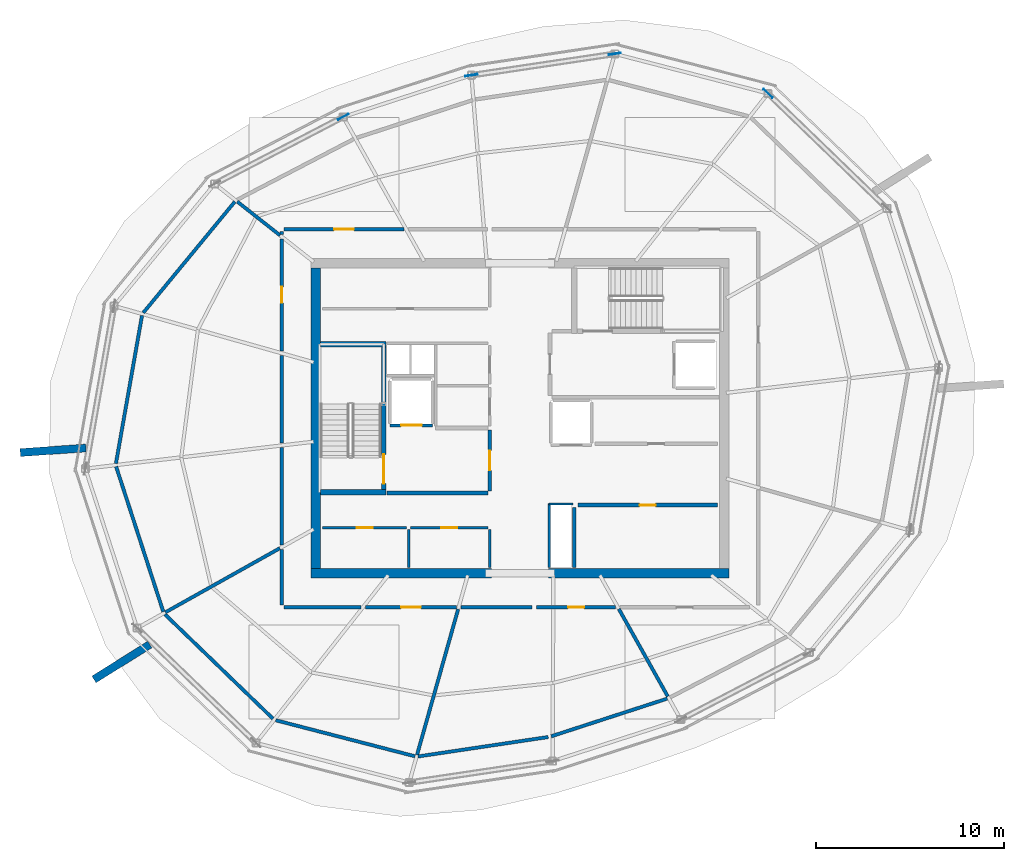
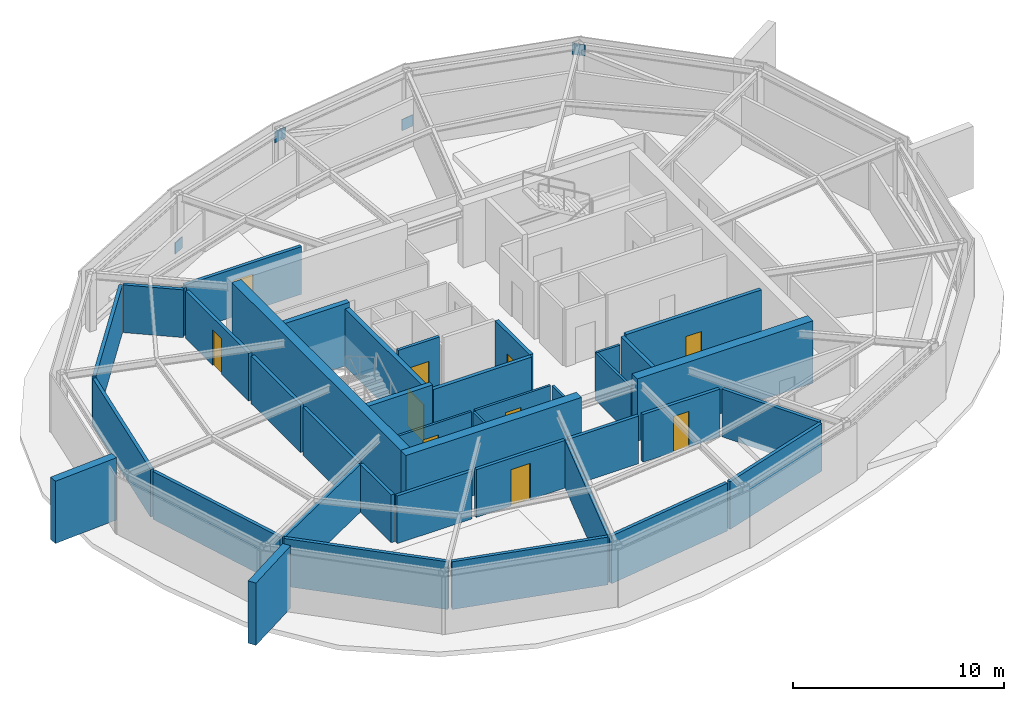
# One storey, part 7 of 10: 40 walls, 10 doors, 4 plates, 10 openings.
"""IFC4 building model written with IfcOpenShell, lengths in metres."""

import ifcopenshell
import ifcopenshell.guid

model = None  # the IFC model being written
_history = None  # IfcOwnerHistory: only IFC2X3 demands one
_inside = {}  # id of a spatial element -> (the spatial element, [elements in it])
_under = {}  # id of a project, library or spatial element -> (it, [spatial elements below it])
_declared = {}  # id of a project -> (the project, [libraries it declares])
_typed = {}  # id of a type object -> (the type object, [elements of that type])
_made_of = {}  # id of a material, layer set ... -> (it, [elements and type objects made of it])


def new_model(schema):
    """Start an empty IFC model of exactly this schema.

    Asked for "IFC4X3", IfcOpenShell would pick the latest addendum, in which some entities
    have other attributes; the version numbers below select the first issue.
    IFC2X3 requires an IfcOwnerHistory on every rooted entity: one is made here for all.
    """
    global model, _history
    if schema == "IFC4X3":
        model = ifcopenshell.file(schema_version=(4, 3, 0, 0))
    else:
        model = ifcopenshell.file(schema=schema)
    _inside.clear()
    _under.clear()
    _declared.clear()
    _typed.clear()
    _made_of.clear()
    _history = None
    if model.schema == "IFC2X3":
        org = make("IfcOrganization", Name="unknown")
        user = make(
            "IfcPersonAndOrganization",
            ThePerson=make("IfcPerson", FamilyName="unknown"),
            TheOrganization=org,
        )
        app = make(
            "IfcApplication",
            ApplicationDeveloper=org,
            Version="unknown",
            ApplicationFullName="unknown",
            ApplicationIdentifier="unknown",
        )
        _history = make(
            "IfcOwnerHistory",
            OwningUser=user,
            OwningApplication=app,
            ChangeAction="ADDED",
            CreationDate=0,
        )
    return model


def make(cls, **values):
    """One entity of the class cls with the attributes given. An attribute that is None is left unset."""
    return model.create_entity(
        cls, **{name: value for name, value in values.items() if value is not None}
    )


def rooted(cls, **values):
    """An entity with a GlobalId (a new one), such as an element, a storey or a relation."""
    return make(cls, GlobalId=ifcopenshell.guid.new(), OwnerHistory=_history, **values)


def si_unit(unit_type, name, prefix=None):
    """IfcSIUnit, for example si_unit("LENGTHUNIT", "METRE", prefix="MILLI")."""
    return make("IfcSIUnit", UnitType=unit_type, Prefix=prefix, Name=name)


def assignment(units):
    """IfcUnitAssignment: the units of a project."""
    return None if units is None else make("IfcUnitAssignment", Units=units)


def point(xyz):
    """IfcCartesianPoint."""
    return None if xyz is None else make("IfcCartesianPoint", Coordinates=xyz)


def direction(xyz):
    """IfcDirection."""
    return None if xyz is None else make("IfcDirection", DirectionRatios=xyz)


def frame(location, z_axis=None, x_axis=None):
    """IfcAxis2Placement3D, a coordinate frame: its origin and axes. An axis left out is left unset."""
    return make(
        "IfcAxis2Placement3D",
        Location=point(location),
        Axis=direction(z_axis),
        RefDirection=direction(x_axis),
    )


def frame_2d(location, x_axis=None):
    """IfcAxis2Placement2D, a coordinate frame in the plane: its origin and x axis."""
    return make(
        "IfcAxis2Placement2D", Location=point(location), RefDirection=direction(x_axis)
    )


def origin():
    """The frame at (0, 0, 0) with its axes left unset."""
    return frame((0.0, 0.0, 0.0))


def origin_2d():
    """The frame at (0, 0) in the plane with its x axis left unset."""
    return frame_2d((0.0, 0.0))


def place(relative_to, where):
    """IfcLocalPlacement: puts the frame where relative to a parent placement (None: the world)."""
    return make(
        "IfcLocalPlacement", PlacementRelTo=relative_to, RelativePlacement=where
    )


def context(
    kind, dimensions, precision=None, world=None, true_north=None, identifier=None
):
    """IfcGeometricRepresentationContext, for example the 3D "Model" context."""
    return make(
        "IfcGeometricRepresentationContext",
        ContextIdentifier=identifier,
        ContextType=kind,
        CoordinateSpaceDimension=dimensions,
        Precision=precision,
        WorldCoordinateSystem=world,
        TrueNorth=true_north,
    )


def subcontext(parent, identifier, kind, view, scale=None):
    """IfcGeometricRepresentationSubContext, for example "Body" below "Model"."""
    return make(
        "IfcGeometricRepresentationSubContext",
        ContextIdentifier=identifier,
        ContextType=kind,
        ParentContext=parent,
        TargetScale=scale,
        TargetView=view,
    )


def project(units=None, contexts=None):
    """IfcProject with its units and contexts."""
    return rooted(
        "IfcProject",
        Name="project",
        RepresentationContexts=contexts,
        UnitsInContext=assignment(units),
    )


def spatial(cls, under=None, at=None, **own):
    """A site, building, storey or space (cls), placed at a placement, below another one or the project."""
    s = rooted(cls, ObjectPlacement=at, **own)
    if under is not None:
        _under.setdefault(under.id(), (under, []))[1].append(s)
    return s


def profile(cls, at=None, kind="AREA", **sizes):
    """A parametric profile (cls). Its sizes go by their IFC names, for example OverallWidth=200.0."""
    return make(cls, ProfileType=kind, Position=at, **sizes)


def rectangle(**sizes):
    """IfcRectangleProfileDef."""
    return profile("IfcRectangleProfileDef", **sizes)


def extrude(swept, where, along, depth):
    """IfcExtrudedAreaSolid: the profile swept, set in the frame where, extruded along a direction by depth."""
    return make(
        "IfcExtrudedAreaSolid",
        SweptArea=swept,
        Position=where,
        ExtrudedDirection=direction(along),
        Depth=depth,
    )


def shape(context_of_items, identifier, shape_type, items):
    """IfcShapeRepresentation: the items that make up one representation, for example the "Body"."""
    return make(
        "IfcShapeRepresentation",
        ContextOfItems=context_of_items,
        RepresentationIdentifier=identifier,
        RepresentationType=shape_type,
        Items=items,
    )


def material(Name=None, Category=None):
    """IfcMaterial."""
    return make("IfcMaterial", Name=Name, Category=Category)


def layer(
    of_material, thickness, ventilated=None, Name=None, Category=None, Priority=None
):
    """IfcMaterialLayer: one layer of a wall or slab, of a material (None: an air gap)."""
    return make(
        "IfcMaterialLayer",
        Material=of_material,
        LayerThickness=thickness,
        IsVentilated=ventilated,
        Name=Name,
        Category=Category,
        Priority=Priority,
    )


def layer_set(layers, Name=None):
    """IfcMaterialLayerSet."""
    return make("IfcMaterialLayerSet", MaterialLayers=layers, LayerSetName=Name)


def made_of(thing, what):
    """Note that an element or type object is made of a material, layer set ...; save() writes the relation."""
    if what is not None:
        _made_of.setdefault(what.id(), (what, []))[1].append(thing)
    return thing


def type_object(cls, material=None, **own):
    """A type object (cls), such as IfcWallType, which elements share."""
    return made_of(rooted(cls, **own), material)


def element(
    cls,
    number,
    at=None,
    inside=None,
    cuts=None,
    type_object=None,
    material=None,
    context=None,
    identifier="Body",
    shape_type=None,
    held_by="IfcProductDefinitionShape",
    body=None,
    shapes=None,
    **own,
):
    """One element of the class cls, such as IfcWall. Its Tag is "e" and its number.

    at: its placement. inside: the storey or other place that contains it. cuts: it is an
    opening in that element (IfcRelVoidsElement). A single representation is given by context,
    identifier, shape_type and body (its items); several are given by shapes. held_by: the class
    of the entity that holds the representations. save() writes the other relations.
    """
    e = rooted(cls, Tag="e%d" % number, ObjectPlacement=at, **own)
    if body is not None:
        shapes = [shape(context, identifier, shape_type, body)]
    if shapes is not None:
        e.Representation = make(held_by, Representations=shapes)
    if inside is not None:
        _inside.setdefault(inside.id(), (inside, []))[1].append(e)
    if cuts is not None:
        rooted(
            "IfcRelVoidsElement", RelatingBuildingElement=cuts, RelatedOpeningElement=e
        )
    if type_object is not None:
        _typed.setdefault(type_object.id(), (type_object, []))[1].append(e)
    return made_of(e, material)


def fill(opening, filler):
    """IfcRelFillsElement: the door or window that sits in an opening."""
    return rooted(
        "IfcRelFillsElement",
        RelatingOpeningElement=opening,
        RelatedBuildingElement=filler,
    )


def aggregate(whole, parts):
    """IfcRelAggregates: a whole, such as a stair, and the parts it consists of."""
    return rooted("IfcRelAggregates", RelatingObject=whole, RelatedObjects=parts)


def save(model, path):
    """Write the relations noted so far, then the file.

    IfcRelAggregates (storeys below a building ...), IfcRelContainedInSpatialStructure (elements
    in a storey), IfcRelDefinesByType, IfcRelAssociatesMaterial and IfcRelDeclares: one each for
    every whole, place, type object, material and project.
    """
    for whole, parts in _under.values():
        aggregate(whole, parts)
    for where, things in _inside.values():
        rooted(
            "IfcRelContainedInSpatialStructure",
            RelatedElements=things,
            RelatingStructure=where,
        )
    for kind, things in _typed.values():
        rooted("IfcRelDefinesByType", RelatedObjects=things, RelatingType=kind)
    for what, things in _made_of.values():
        rooted("IfcRelAssociatesMaterial", RelatedObjects=things, RelatingMaterial=what)
    for by, libraries in _declared.values():
        rooted("IfcRelDeclares", RelatingContext=by, RelatedDefinitions=libraries)
    model.write(path)


model = new_model("IFC4")

# Units and contexts
model_context = context("Model", 3, precision=1e-05, world=origin(), true_north=direction((0.0, 1.0)))
body_context = subcontext(model_context, "Body", "Model", "MODEL_VIEW")
ifc_project = project(units=[si_unit("LENGTHUNIT", "METRE"), si_unit("AREAUNIT", "SQUARE_METRE"), si_unit("VOLUMEUNIT", "CUBIC_METRE"), si_unit("PLANEANGLEUNIT", "RADIAN"), si_unit("MASSUNIT", "GRAM", prefix="KILO")], contexts=[model_context])

# Site, building, storey
site_placement = place(None, origin())
site = spatial("IfcSite", under=ifc_project, at=site_placement, CompositionType="ELEMENT")
building_placement = place(site_placement, origin())
building = spatial("IfcBuilding", under=site, at=building_placement, Name="Kazma Halo Residences", CompositionType="ELEMENT")
storey_placement = place(building_placement, frame((0.0, 0.0, 356.0)))
storey = spatial("IfcBuildingStorey", under=building, at=storey_placement, Name="L89", CompositionType="ELEMENT", Elevation=356.0)

# Plates
ifc_material_1 = material(Name="Steel S355", Category="steel")
ifc_layer_1 = layer(ifc_material_1, 0.0400390625)
ifc_layer_set_1 = layer_set([ifc_layer_1], Name="Steel S355")
plate_type = type_object("IfcPlateType", Name="PLT-GUSSET-40", PredefinedType="SHEET", material=ifc_layer_set_1)
for number, where, z_axis, x_axis, name in (
    (1, (61.617431640625, 59.273681640625, 2.614990234375), (0.0, 0.0, 1.0), (-0.719342064482, 0.694656025863, 0.0), "L89 crown brace upper gusset 01"),
    (2, (53.46630859375, 61.38232421875, -0.044921875), (0.0, 0.0, 1.0), (-0.98903421845, -0.147686542161, 0.0), "L89 crown brace lower gusset 03"),
    (3, (45.8408203125, 60.24365234375, 2.614990234375), (0.0, 0.0, 1.0), (-0.98903421845, -0.147686542161, 0.0), "L89 crown brace upper gusset 03"),
    (4, (39.0234375, 58.02880859375, -0.044921875), (0.0, 0.0, 1.0), (-0.886949727325, -0.461865977529, 0.0), "L89 crown brace lower gusset 05"),
):
    element("IfcPlate", number, at=place(storey_placement, frame(where, z_axis=z_axis, x_axis=x_axis)), inside=storey, type_object=plate_type, Name=name, PredefinedType="SHEET", context=body_context, shape_type="SweptSolid", body=[
        extrude(rectangle(XDim=0.64990234375, YDim=0.0400390625, at=origin_2d()), origin(), (0.0, 0.0, 1.0), 0.64990234375),
    ])

# Walls
ifc_material_2 = material(Name="Pale Concrete C60/75", Category="concrete")
ifc_layer_2 = layer(ifc_material_2, 0.419921875)
ifc_layer_set_2 = layer_set([ifc_layer_2], Name="Pale Concrete C60/75")
wall_type_1 = type_object("IfcWallType", Name="WL-BLADE-420", PredefinedType="SOLIDWALL", material=ifc_layer_set_2)
for number, where, z_axis, x_axis, name in (
    (5, (25.333984375, 40.4150390625, 0.0), (0.0, 0.0, 1.0), (-0.997564163539, -0.069754853754, 0.0), "L89 pale concrete structural blade fin wall BW-02"),
    (6, (28.731201171875, 29.95947265625, 0.0), (0.0, 0.0, 1.0), (-0.848033572426, -0.529942506352, 0.0), "L89 pale concrete structural blade fin wall BW-03"),
):
    element("IfcWall", number, at=place(storey_placement, frame(where, z_axis=z_axis, x_axis=x_axis)), inside=storey, type_object=wall_type_1, Name=name, PredefinedType="SOLIDWALL", context=body_context, shape_type="SweptSolid", body=[
        extrude(rectangle(XDim=3.5, YDim=0.419921875, at=frame_2d((1.75, 0.0))), origin(), (0.0, 0.0, 1.0), 3.60009765625),
    ])
ifc_material_3 = material(Name="Concrete C60/75", Category="concrete")
ifc_layer_3 = layer(ifc_material_3, 0.5)
ifc_layer_set_3 = layer_set([ifc_layer_3], Name="Concrete C60/75")
wall_type_2 = type_object("IfcWallType", Name="WL-CORE-500", PredefinedType="SHEAR", material=ifc_layer_set_3)
wall_1_placement = place(storey_placement, frame((37.300048828125, 33.75, 0.0), z_axis=(0.0, 0.0, 1.0), x_axis=(1.0, 0.0, 0.0)))
element("IfcWall", 7, at=wall_1_placement, inside=storey, type_object=wall_type_2, Name="L89 central core shear wall SW", PredefinedType="SHEAR", context=body_context, shape_type="SweptSolid", body=[
    extrude(rectangle(XDim=9.599853515625, YDim=0.5, at=frame_2d((4.7998046875, 0.0))), origin(), (0.0, 0.0, 1.0), 3.60009765625),
])
wall_2_placement = place(storey_placement, frame((49.949951171875, 33.75, 0.0), z_axis=(0.0, 0.0, 1.0), x_axis=(1.0, 0.0, 0.0)))
element("IfcWall", 8, at=wall_2_placement, inside=storey, type_object=wall_type_2, Name="L89 central core shear wall SE", PredefinedType="SHEAR", context=body_context, shape_type="SweptSolid", body=[
    extrude(rectangle(XDim=9.60009765625, YDim=0.5, at=frame_2d((4.800048828125, 0.0))), origin(), (0.0, 0.0, 1.0), 3.60009765625),
])
wall_3_placement = place(storey_placement, frame((37.550048828125, 34.0, 0.0), z_axis=(0.0, 0.0, 1.0), x_axis=(0.0, 1.0, 0.0)))
element("IfcWall", 9, at=wall_3_placement, inside=storey, type_object=wall_type_2, Name="L89 central core shear wall W", PredefinedType="SHEAR", context=body_context, shape_type="SweptSolid", body=[
    extrude(rectangle(XDim=16.0, YDim=0.5, at=frame_2d((8.0, 0.0))), origin(), (0.0, 0.0, 1.0), 3.60009765625),
])
ifc_layer_4 = layer(ifc_material_3, 0.280029296875)
ifc_layer_set_4 = layer_set([ifc_layer_4], Name="Concrete C60/75")
wall_type_3 = type_object("IfcWallType", Name="WL-CORE-ST-280", PredefinedType="SHEAR", material=ifc_layer_set_4)
for number, where, z_axis, x_axis, name in (
    (10, (37.800048828125, 38.06005859375, 0.0), (0.0, 0.0, 1.0), (1.0, 0.0, 0.0), "L89 stairwell bearing wall ST01-S"),
    (11, (37.800048828125, 45.93994140625, 0.0), (0.0, 0.0, 1.0), (1.0, 0.0, 0.0), "L89 stairwell bearing wall ST01-N"),
):
    element("IfcWall", number, at=place(storey_placement, frame(where, z_axis=z_axis, x_axis=x_axis)), inside=storey, type_object=wall_type_3, Name=name, PredefinedType="SHEAR", context=body_context, shape_type="SweptSolid", body=[
        extrude(rectangle(XDim=3.5, YDim=0.280029296875, at=frame_2d((1.75, 0.0))), origin(), (0.0, 0.0, 1.0), 3.60009765625),
    ])
ifc_material_4 = material(Name="Acoustic Twin-Stud Gypsum")
ifc_layer_5 = layer(ifc_material_4, 0.179931640625)
ifc_layer_set_5 = layer_set([ifc_layer_5], Name="Acoustic Twin-Stud Gypsum")
wall_type_4 = type_object("IfcWallType", Name="WL-DEM-180", PredefinedType="PARTITIONING", material=ifc_layer_set_5)
wall_4_placement = place(storey_placement, frame((33.257568359375, 53.520263671875, 0.0), z_axis=(0.0, 0.0, 1.0), x_axis=(-0.636018833443, -0.771673534278, 0.0)))
element("IfcWall", 12, at=wall_4_placement, inside=storey, type_object=wall_type_4, Name="L89 crown plant perimeter wall 05", PredefinedType="PARTITIONING", context=body_context, shape_type="SweptSolid", body=[
    extrude(rectangle(XDim=7.661376953125, YDim=0.179931640625, at=frame_2d((3.83056640625, 0.0))), origin(), (0.0, 0.0, 1.0), 2.760009765625),
])
wall_5_placement = place(storey_placement, frame((28.320068359375, 47.467529296875, 0.0), z_axis=(0.0, 0.0, 1.0), x_axis=(-0.173668776466, -0.984804120666, 0.0)))
element("IfcWall", 13, at=wall_5_placement, inside=storey, type_object=wall_type_4, Name="L89 crown plant perimeter wall 06", PredefinedType="PARTITIONING", context=body_context, shape_type="SweptSolid", body=[
    extrude(rectangle(XDim=8.005859375, YDim=0.179931640625, at=frame_2d((4.0029296875, 0.0))), origin(), (0.0, 0.0, 1.0), 2.760009765625),
])
wall_6_placement = place(storey_placement, frame((26.940673828125, 39.428466796875, 0.0), z_axis=(0.0, 0.0, 1.0), x_axis=(0.309024234991, -0.951054163646, 0.0)))
element("IfcWall", 14, at=wall_6_placement, inside=storey, type_object=wall_type_4, Name="L89 crown plant perimeter wall 07", PredefinedType="PARTITIONING", context=body_context, shape_type="SweptSolid", body=[
    extrude(rectangle(XDim=8.1240234375, YDim=0.179931640625, at=frame_2d((4.06201171875, 0.0))), origin(), (0.0, 0.0, 1.0), 2.760009765625),
])
wall_7_placement = place(storey_placement, frame((29.533203125, 31.5703125, 0.0), z_axis=(0.0, 0.0, 1.0), x_axis=(0.719364153135, -0.694633151516, 0.0)))
element("IfcWall", 15, at=wall_7_placement, inside=storey, type_object=wall_type_4, Name="L89 crown plant perimeter wall 08", PredefinedType="PARTITIONING", context=body_context, shape_type="SweptSolid", body=[
    extrude(rectangle(XDim=8.006103515625, YDim=0.179931640625, at=frame_2d((4.0029296875, 0.0))), origin(), (0.0, 0.0, 1.0), 2.760009765625),
])
wall_8_placement = place(storey_placement, frame((35.42724609375, 25.93359375, 0.0), z_axis=(0.0, 0.0, 1.0), x_axis=(0.968117205342, -0.250497658115, 0.0)))
element("IfcWall", 16, at=wall_8_placement, inside=storey, type_object=wall_type_4, Name="L89 crown plant perimeter wall 09", PredefinedType="PARTITIONING", context=body_context, shape_type="SweptSolid", body=[
    extrude(rectangle(XDim=7.66162109375, YDim=0.179931640625, at=frame_2d((3.830810546875, 0.0))), origin(), (0.0, 0.0, 1.0), 2.760009765625),
])
wall_9_placement = place(storey_placement, frame((43.0009765625, 24.00634765625, 0.0), z_axis=(0.0, 0.0, 1.0), x_axis=(0.989034336252, 0.147685753256, 0.0)))
element("IfcWall", 17, at=wall_9_placement, inside=storey, type_object=wall_type_4, Name="L89 crown plant perimeter wall 10", PredefinedType="PARTITIONING", context=body_context, shape_type="SweptSolid", body=[
    extrude(rectangle(XDim=7.002685546875, YDim=0.179931640625, at=frame_2d((3.50146484375, 0.0))), origin(), (0.0, 0.0, 1.0), 2.760009765625),
])
wall_10_placement = place(storey_placement, frame((50.08203125, 25.076904296875, 0.0), z_axis=(0.0, 0.0, 1.0), x_axis=(0.95105283999, 0.309028308649, 0.0)))
element("IfcWall", 18, at=wall_10_placement, inside=storey, type_object=wall_type_4, Name="L89 crown plant perimeter wall 11", PredefinedType="PARTITIONING", context=body_context, shape_type="SweptSolid", body=[
    extrude(rectangle(XDim=6.498779296875, YDim=0.179931640625, at=frame_2d((3.24951171875, 0.0))), origin(), (0.0, 0.0, 1.0), 2.760009765625),
])

# Wall, opening, door
wall_11_placement = place(storey_placement, frame((42.251708984375, 52.050048828125, 0.0), z_axis=(0.0, 0.0, 1.0), x_axis=(-1.0, 0.0, 0.0)))
wall_11 = element("IfcWall", 19, at=wall_11_placement, inside=storey, type_object=wall_type_4, Name="L89 L89 Chilled-Water Pump Plant Room corridor wall", PredefinedType="PARTITIONING", context=body_context, shape_type="SweptSolid", body=[
    extrude(rectangle(XDim=6.381591796875, YDim=0.179931640625, at=frame_2d((3.19091796875, 0.0))), origin(), (0.0, 0.0, 1.0), 2.760009765625),
])
opening_1_placement = place(wall_11_placement, frame((2.666015625, 0.0, 0.0)))
opening_1 = element("IfcOpeningElement", 20, at=opening_1_placement, cuts=wall_11, Name="Opening DF-1050", PredefinedType="OPENING", context=body_context, shape_type="SweptSolid", body=[
    extrude(rectangle(XDim=1.050048828125, YDim=2.10009765625, at=frame_2d((0.52490234375, 1.050048828125))), frame((0.0, 0.099853515625, 0.0), z_axis=(0.0, -1.0, 0.0), x_axis=(1.0, 0.0, 0.0)), (0.0, 0.0, 1.0), 0.199951171875),
])
ifc_material_5 = material(Name="Fire-Rated Steel Leaf", Category="steel")
door_type_1 = type_object("IfcDoorType", Name="DR-FD90-1050", OperationType="NOTDEFINED", PredefinedType="DOOR", material=ifc_material_5)
door_1_placement = place(opening_1_placement, origin())
door_1 = element("IfcDoor", 21, at=door_1_placement, inside=storey, type_object=door_type_1, Name="L89 L89 Chilled-Water Pump Plant Room door", OperationType="SINGLE_SWING_RIGHT", OverallHeight=2.10009765625, OverallWidth=1.050048828125, PredefinedType="DOOR", context=body_context, shape_type="SweptSolid", body=[
    extrude(rectangle(XDim=1.050048828125, YDim=2.10009765625, at=frame_2d((0.52490234375, 1.050048828125))), frame((0.0, 0.02490234375, 0.0), z_axis=(0.0, -1.0, 0.0), x_axis=(1.0, 0.0, 0.0)), (0.0, 0.0, 1.0), 0.050048828125),
])
fill(opening_1, door_1)

# Walls
wall_12_placement = place(storey_placement, frame((35.75, 51.929931640625, 0.0), z_axis=(0.0, 0.0, 1.0), x_axis=(0.0, -1.0, 0.0)))
element("IfcWall", 22, at=wall_12_placement, inside=storey, type_object=wall_type_4, Name="L89 L89 Chilled-Water Pump Plant Room corridor wall", PredefinedType="PARTITIONING", context=body_context, shape_type="SweptSolid", body=[
    extrude(rectangle(XDim=0.15283203125, YDim=0.179931640625, at=frame_2d((0.076416015625, 0.0))), origin(), (0.0, 0.0, 1.0), 2.760009765625),
])
wall_13_placement = place(storey_placement, frame((35.66357421875, 51.72509765625, 0.0), z_axis=(0.0, 0.0, 1.0), x_axis=(-0.78528570066, 0.619133562601, 0.0)))
element("IfcWall", 23, at=wall_13_placement, inside=storey, type_object=wall_type_4, Name="L89 radial partition wall 05", PredefinedType="PARTITIONING", context=body_context, shape_type="SweptSolid", body=[
    extrude(rectangle(XDim=2.899169921875, YDim=0.179931640625, at=frame_2d((1.44970703125, 0.0))), origin(), (0.0, 0.0, 1.0), 2.760009765625),
])

# Wall, opening, door
wall_14_placement = place(storey_placement, frame((35.75, 51.537109375, 0.0), z_axis=(0.0, 0.0, 1.0), x_axis=(0.0, -1.0, 0.0)))
wall_14 = element("IfcWall", 24, at=wall_14_placement, inside=storey, type_object=wall_type_4, Name="L89 L89 Treated Water Tank Room corridor wall", PredefinedType="PARTITIONING", context=body_context, shape_type="SweptSolid", body=[
    extrude(rectangle(XDim=5.962158203125, YDim=0.179931640625, at=frame_2d((2.98095703125, 0.0))), origin(), (0.0, 0.0, 1.0), 2.760009765625),
])
opening_2_placement = place(wall_14_placement, frame((2.55615234375, 0.0, 0.0)))
opening_2 = element("IfcOpeningElement", 25, at=opening_2_placement, cuts=wall_14, Name="Opening DS-850", PredefinedType="OPENING", context=body_context, shape_type="SweptSolid", body=[
    extrude(rectangle(XDim=0.85009765625, YDim=2.06005859375, at=frame_2d((0.425048828125, 1.030029296875))), frame((0.0, 0.099853515625, 0.0), z_axis=(0.0, -1.0, 0.0), x_axis=(1.0, 0.0, 0.0)), (0.0, 0.0, 1.0), 0.199951171875),
])
ifc_material_6 = material(Name="Painted Steel Access Leaf", Category="steel")
door_type_2 = type_object("IfcDoorType", Name="DR-SVC-850", OperationType="NOTDEFINED", PredefinedType="DOOR", material=ifc_material_6)
door_2_placement = place(opening_2_placement, origin())
door_2 = element("IfcDoor", 26, at=door_2_placement, inside=storey, type_object=door_type_2, Name="L89 L89 Treated Water Tank Room door", OperationType="SINGLE_SWING_LEFT", OverallHeight=2.06005859375, OverallWidth=0.85009765625, PredefinedType="DOOR", context=body_context, shape_type="SweptSolid", body=[
    extrude(rectangle(XDim=0.85009765625, YDim=2.06005859375, at=frame_2d((0.425048828125, 1.030029296875))), frame((0.0, 0.02490234375, 0.0), z_axis=(0.0, -1.0, 0.0), x_axis=(1.0, 0.0, 0.0)), (0.0, 0.0, 1.0), 0.050048828125),
])
fill(opening_2, door_2)

# Walls
wall_15_placement = place(storey_placement, frame((35.75, 45.3349609375, 0.0), z_axis=(0.0, 0.0, 1.0), x_axis=(0.0, -1.0, 0.0)))
element("IfcWall", 27, at=wall_15_placement, inside=storey, type_object=wall_type_4, Name="L89 L89 Treated Water Tank Room corridor wall", PredefinedType="PARTITIONING", context=body_context, shape_type="SweptSolid", body=[
    extrude(rectangle(XDim=4.664794921875, YDim=0.179931640625, at=frame_2d((2.33251953125, 0.0))), origin(), (0.0, 0.0, 1.0), 2.760009765625),
])
wall_16_placement = place(storey_placement, frame((35.75, 40.43017578125, 0.0), z_axis=(0.0, 0.0, 1.0), x_axis=(0.0, -1.0, 0.0)))
element("IfcWall", 28, at=wall_16_placement, inside=storey, type_object=wall_type_4, Name="L89 L89 Treated Water Tank Room corridor wall", PredefinedType="PARTITIONING", context=body_context, shape_type="SweptSolid", body=[
    extrude(rectangle(XDim=5.17041015625, YDim=0.179931640625, at=frame_2d((2.585205078125, 0.0))), origin(), (0.0, 0.0, 1.0), 2.760009765625),
])
wall_17_placement = place(storey_placement, frame((35.654052734375, 35.0859375, 0.0), z_axis=(0.0, 0.0, 1.0), x_axis=(-0.872497667023, -0.488618277432, 0.0)))
element("IfcWall", 29, at=wall_17_placement, inside=storey, type_object=wall_type_4, Name="L89 radial partition wall 08", PredefinedType="PARTITIONING", context=body_context, shape_type="SweptSolid", body=[
    extrude(rectangle(XDim=6.981201171875, YDim=0.179931640625, at=frame_2d((3.49072265625, 0.0))), origin(), (0.0, 0.0, 1.0), 2.760009765625),
])
wall_18_placement = place(storey_placement, frame((35.75, 35.019775390625, 0.0), z_axis=(0.0, 0.0, 1.0), x_axis=(0.0, -1.0, 0.0)))
element("IfcWall", 30, at=wall_18_placement, inside=storey, type_object=wall_type_4, Name="L89 L89 Cooling Tower Plant Room South corridor wall", PredefinedType="PARTITIONING", context=body_context, shape_type="SweptSolid", body=[
    extrude(rectangle(XDim=2.94970703125, YDim=0.179931640625, at=frame_2d((1.474853515625, 0.0))), origin(), (0.0, 0.0, 1.0), 2.760009765625),
])
wall_19_placement = place(storey_placement, frame((35.8701171875, 31.949951171875, 0.0), z_axis=(0.0, 0.0, 1.0), x_axis=(1.0, 0.0, 0.0)))
element("IfcWall", 31, at=wall_19_placement, inside=storey, type_object=wall_type_4, Name="L89 L89 Cooling Tower Plant Room South corridor wall", PredefinedType="PARTITIONING", context=body_context, shape_type="SweptSolid", body=[
    extrude(rectangle(XDim=4.087158203125, YDim=0.179931640625, at=frame_2d((2.04345703125, 0.0))), origin(), (0.0, 0.0, 1.0), 2.760009765625),
])

# Wall, opening, door
wall_20_placement = place(storey_placement, frame((40.197265625, 31.949951171875, 0.0), z_axis=(0.0, 0.0, 1.0), x_axis=(1.0, 0.0, 0.0)))
wall_20 = element("IfcWall", 32, at=wall_20_placement, inside=storey, type_object=wall_type_4, Name="L89 L89 Cooling Tower Plant Room South corridor wall", PredefinedType="PARTITIONING", context=body_context, shape_type="SweptSolid", body=[
    extrude(rectangle(XDim=4.848388671875, YDim=0.179931640625, at=frame_2d((2.42431640625, 0.0))), origin(), (0.0, 0.0, 1.0), 2.760009765625),
])
opening_3_placement = place(wall_20_placement, frame((1.899169921875, 0.0, 0.0)))
opening_3 = element("IfcOpeningElement", 33, at=opening_3_placement, cuts=wall_20, Name="Opening DF-1050", PredefinedType="OPENING", context=body_context, shape_type="SweptSolid", body=[
    extrude(rectangle(XDim=1.050048828125, YDim=2.10009765625, at=frame_2d((0.52490234375, 1.050048828125))), frame((0.0, 0.099853515625, 0.0), z_axis=(0.0, -1.0, 0.0), x_axis=(1.0, 0.0, 0.0)), (0.0, 0.0, 1.0), 0.199951171875),
])
door_3_placement = place(opening_3_placement, origin())
door_3 = element("IfcDoor", 34, at=door_3_placement, inside=storey, type_object=door_type_1, Name="L89 L89 Cooling Tower Plant Room South door", OperationType="SINGLE_SWING_RIGHT", OverallHeight=2.10009765625, OverallWidth=1.050048828125, PredefinedType="DOOR", context=body_context, shape_type="SweptSolid", body=[
    extrude(rectangle(XDim=1.050048828125, YDim=2.10009765625, at=frame_2d((0.52490234375, 1.050048828125))), frame((0.0, 0.02490234375, 0.0), z_axis=(0.0, -1.0, 0.0), x_axis=(1.0, 0.0, 0.0)), (0.0, 0.0, 1.0), 0.050048828125),
])
fill(opening_3, door_3)

# Walls
wall_21_placement = place(storey_placement, frame((45.1357421875, 31.843994140625, 0.0), z_axis=(0.0, 0.0, 1.0), x_axis=(-0.271457285698, -0.962450488099, 0.0)))
element("IfcWall", 35, at=wall_21_placement, inside=storey, type_object=wall_type_4, Name="L89 radial partition wall 10", PredefinedType="PARTITIONING", context=body_context, shape_type="SweptSolid", body=[
    extrude(rectangle(XDim=8.0556640625, YDim=0.179931640625, at=frame_2d((4.02783203125, 0.0))), origin(), (0.0, 0.0, 1.0), 2.760009765625),
])
wall_22_placement = place(storey_placement, frame((45.28564453125, 31.949951171875, 0.0), z_axis=(0.0, 0.0, 1.0), x_axis=(1.0, 0.0, 0.0)))
element("IfcWall", 36, at=wall_22_placement, inside=storey, type_object=wall_type_4, Name="L89 L89 Pressurisation Fan Plant Room corridor wall", PredefinedType="PARTITIONING", context=body_context, shape_type="SweptSolid", body=[
    extrude(rectangle(XDim=3.783935546875, YDim=0.179931640625, at=frame_2d((1.89208984375, 0.0))), origin(), (0.0, 0.0, 1.0), 2.760009765625),
])

# Wall, opening, door
wall_23_placement = place(storey_placement, frame((49.3095703125, 31.949951171875, 0.0), z_axis=(0.0, 0.0, 1.0), x_axis=(1.0, 0.0, 0.0)))
wall_23 = element("IfcWall", 37, at=wall_23_placement, inside=storey, type_object=wall_type_4, Name="L89 L89 Pressurisation Fan Plant Room corridor wall", PredefinedType="PARTITIONING", context=body_context, shape_type="SweptSolid", body=[
    extrude(rectangle(XDim=4.19873046875, YDim=0.179931640625, at=frame_2d((2.099365234375, 0.0))), origin(), (0.0, 0.0, 1.0), 2.760009765625),
])
opening_4_placement = place(wall_23_placement, frame((1.67431640625, 0.0, 0.0)))
opening_4 = element("IfcOpeningElement", 38, at=opening_4_placement, cuts=wall_23, Name="Opening DS-850", PredefinedType="OPENING", context=body_context, shape_type="SweptSolid", body=[
    extrude(rectangle(XDim=0.85009765625, YDim=2.06005859375, at=frame_2d((0.425048828125, 1.030029296875))), frame((0.0, 0.099853515625, 0.0), z_axis=(0.0, -1.0, 0.0), x_axis=(1.0, 0.0, 0.0)), (0.0, 0.0, 1.0), 0.199951171875),
])
door_4_placement = place(opening_4_placement, origin())
door_4 = element("IfcDoor", 39, at=door_4_placement, inside=storey, type_object=door_type_2, Name="L89 L89 Pressurisation Fan Plant Room door", OperationType="SINGLE_SWING_LEFT", OverallHeight=2.06005859375, OverallWidth=0.85009765625, PredefinedType="DOOR", context=body_context, shape_type="SweptSolid", body=[
    extrude(rectangle(XDim=0.85009765625, YDim=2.06005859375, at=frame_2d((0.425048828125, 1.030029296875))), frame((0.0, 0.02490234375, 0.0), z_axis=(0.0, -1.0, 0.0), x_axis=(1.0, 0.0, 0.0)), (0.0, 0.0, 1.0), 0.050048828125),
])
fill(opening_4, door_4)

# Wall
wall_24_placement = place(storey_placement, frame((53.681884765625, 31.85400390625, 0.0), z_axis=(0.0, 0.0, 1.0), x_axis=(0.488622869326, -0.872495095443, 0.0)))
element("IfcWall", 40, at=wall_24_placement, inside=storey, type_object=wall_type_4, Name="L89 radial partition wall 12", PredefinedType="PARTITIONING", context=body_context, shape_type="SweptSolid", body=[
    extrude(rectangle(XDim=5.337158203125, YDim=0.179931640625, at=frame_2d((2.66845703125, 0.0))), origin(), (0.0, 0.0, 1.0), 2.760009765625),
])

# Wall, opening, door
ifc_material_7 = material(Name="Fire-Rated Blockwork Masonry", Category="masonry")
ifc_layer_6 = layer(ifc_material_7, 0.199951171875)
ifc_layer_set_6 = layer_set([ifc_layer_6], Name="Fire-Rated Blockwork Masonry")
wall_type_5 = type_object("IfcWallType", Name="WL-FLB-200", PredefinedType="PARTITIONING", material=ifc_layer_set_6)
wall_25_placement = place(storey_placement, frame((51.52001953125, 37.3798828125, 0.0), z_axis=(0.0, 0.0, 1.0), x_axis=(1.0, 0.0, 0.0)))
wall_25 = element("IfcWall", 41, at=wall_25_placement, inside=storey, type_object=wall_type_5, Name="L89 core fan plant wall", PredefinedType="PARTITIONING", context=body_context, shape_type="SweptSolid", body=[
    extrude(rectangle(XDim=7.39990234375, YDim=0.199951171875, at=frame_2d((3.699951171875, 0.0))), origin(), (0.0, 0.0, 1.0), 3.320068359375),
])
opening_5_placement = place(wall_25_placement, frame((3.27490234375, 0.0, 0.0)))
opening_5 = element("IfcOpeningElement", 42, at=opening_5_placement, cuts=wall_25, Name="Opening DS-850", PredefinedType="OPENING", context=body_context, shape_type="SweptSolid", body=[
    extrude(rectangle(XDim=0.85009765625, YDim=2.06005859375, at=frame_2d((0.425048828125, 1.030029296875))), frame((0.0, 0.10986328125, 0.0), z_axis=(0.0, -1.0, 0.0), x_axis=(1.0, 0.0, 0.0)), (0.0, 0.0, 1.0), 0.219970703125),
])
door_5_placement = place(opening_5_placement, origin())
door_5 = element("IfcDoor", 43, at=door_5_placement, inside=storey, type_object=door_type_2, Name="L89 core fan plant door", OperationType="SINGLE_SWING_RIGHT", OverallHeight=2.06005859375, OverallWidth=0.85009765625, PredefinedType="DOOR", context=body_context, shape_type="SweptSolid", body=[
    extrude(rectangle(XDim=0.85009765625, YDim=2.06005859375, at=frame_2d((0.425048828125, 1.030029296875))), frame((0.0, 0.02490234375, 0.0), z_axis=(0.0, -1.0, 0.0), x_axis=(1.0, 0.0, 0.0)), (0.0, 0.0, 1.0), 0.050048828125),
])
fill(opening_5, door_5)

# Wall
wall_26_placement = place(storey_placement, frame((51.31005859375, 34.050048828125, 0.0), z_axis=(0.0, 0.0, 1.0), x_axis=(0.0, 1.0, 0.0)))
element("IfcWall", 44, at=wall_26_placement, inside=storey, type_object=wall_type_5, Name="L89 core fan plant west wall", PredefinedType="PARTITIONING", context=body_context, shape_type="SweptSolid", body=[
    extrude(rectangle(XDim=3.2099609375, YDim=0.199951171875, at=frame_2d((1.60498046875, 0.0))), origin(), (0.0, 0.0, 1.0), 3.320068359375),
])

# Wall, opening, door
wall_27_placement = place(storey_placement, frame((43.780029296875, 41.6201171875, 0.0), z_axis=(0.0, 0.0, 1.0), x_axis=(-1.0, 0.0, 0.0)))
wall_27 = element("IfcWall", 45, at=wall_27_placement, inside=storey, type_object=wall_type_5, Name="L89 lift shaft FL-01 front wall", PredefinedType="PARTITIONING", context=body_context, shape_type="SweptSolid", body=[
    extrude(rectangle(XDim=2.260009765625, YDim=0.159912109375, at=frame_2d((1.1298828125, 0.0))), origin(), (0.0, 0.0, 1.0), 3.320068359375),
])
opening_6_placement = place(wall_27_placement, frame((0.580078125, 0.0, 0.0)))
opening_6 = element("IfcOpeningElement", 46, at=opening_6_placement, cuts=wall_27, Name="Opening LD-FL-01", PredefinedType="OPENING", context=body_context, shape_type="SweptSolid", body=[
    extrude(rectangle(XDim=1.10009765625, YDim=2.10009765625, at=frame_2d((0.550048828125, 1.050048828125))), frame((0.0, 0.08984375, 0.0), z_axis=(0.0, -1.0, 0.0), x_axis=(1.0, 0.0, 0.0)), (0.0, 0.0, 1.0), 0.179931640625),
])
ifc_material_8 = material(Name="Stainless Steel Fire-Rated", Category="steel")
door_type_3 = type_object("IfcDoorType", Name="DR-LIFT-SLD-1100", OperationType="DOUBLE_DOOR_SLIDING", PredefinedType="DOOR", material=ifc_material_8)
door_6_placement = place(opening_6_placement, origin())
door_6 = element("IfcDoor", 47, at=door_6_placement, inside=storey, type_object=door_type_3, Name="L89 lift FL-01 sliding landing door", OperationType="DOUBLE_DOOR_SLIDING", OverallHeight=2.10009765625, OverallWidth=1.10009765625, PredefinedType="DOOR", context=body_context, shape_type="SweptSolid", body=[
    extrude(rectangle(XDim=1.10009765625, YDim=2.10009765625, at=frame_2d((0.550048828125, 1.050048828125))), frame((0.0, 0.02490234375, 0.0), z_axis=(0.0, -1.0, 0.0), x_axis=(1.0, 0.0, 0.0)), (0.0, 0.0, 1.0), 0.050048828125),
])
fill(opening_6, door_6)

# Wall
wall_28_placement = place(storey_placement, frame((41.35009765625, 38.02001953125, 0.0), z_axis=(0.0, 0.0, 1.0), x_axis=(1.0, 0.0, 0.0)))
element("IfcWall", 48, at=wall_28_placement, inside=storey, type_object=wall_type_5, Name="L89 west firefighting lobby south smoke wall", PredefinedType="PARTITIONING", context=body_context, shape_type="SweptSolid", body=[
    extrude(rectangle(XDim=5.369873046875, YDim=0.199951171875, at=frame_2d((2.68505859375, 0.0))), origin(), (0.0, 0.0, 1.0), 3.320068359375),
])

# Wall, opening, door
wall_29_placement = place(storey_placement, frame((46.820068359375, 38.1201171875, 0.0), z_axis=(0.0, 0.0, 1.0), x_axis=(0.0, 1.0, 0.0)))
wall_29 = element("IfcWall", 49, at=wall_29_placement, inside=storey, type_object=wall_type_5, Name="L89 west firefighting lobby smoke wall", PredefinedType="PARTITIONING", context=body_context, shape_type="SweptSolid", body=[
    extrude(rectangle(XDim=3.259765625, YDim=0.199951171875, at=frame_2d((1.6298828125, 0.0))), origin(), (0.0, 0.0, 1.0), 3.320068359375),
])
opening_7_placement = place(wall_29_placement, frame((1.10498046875, 0.0, 0.0)))
opening_7 = element("IfcOpeningElement", 50, at=opening_7_placement, cuts=wall_29, Name="Opening D-FLW", PredefinedType="OPENING", context=body_context, shape_type="SweptSolid", body=[
    extrude(rectangle(XDim=1.050048828125, YDim=2.10009765625, at=frame_2d((0.52490234375, 1.050048828125))), frame((0.0, 0.10986328125, 0.0), z_axis=(0.0, -1.0, 0.0), x_axis=(1.0, 0.0, 0.0)), (0.0, 0.0, 1.0), 0.219970703125),
])
door_7_placement = place(opening_7_placement, origin())
door_7 = element("IfcDoor", 51, at=door_7_placement, inside=storey, type_object=door_type_1, Name="L89 west firefighting lobby smoke door", OperationType="SINGLE_SWING_RIGHT", OverallHeight=2.10009765625, OverallWidth=1.050048828125, PredefinedType="DOOR", context=body_context, shape_type="SweptSolid", body=[
    extrude(rectangle(XDim=1.050048828125, YDim=2.10009765625, at=frame_2d((0.52490234375, 1.050048828125))), frame((0.0, 0.02490234375, 0.0), z_axis=(0.0, -1.0, 0.0), x_axis=(1.0, 0.0, 0.0)), (0.0, 0.0, 1.0), 0.050048828125),
])
fill(opening_7, door_7)

# Walls
ifc_material_9 = material(Name="Gypsum Plasterboard Partition")
ifc_layer_7 = layer(ifc_material_9, 0.125)
ifc_layer_set_7 = layer_set([ifc_layer_7], Name="Gypsum Plasterboard Partition")
wall_type_6 = type_object("IfcWallType", Name="WL-PART-125", PredefinedType="PARTITIONING", material=ifc_layer_set_7)
for number, where, z_axis, x_axis, name in (
    (52, (46.820068359375, 34.050048828125, 0.0), (0.0, 0.0, 1.0), (0.0, 1.0, 0.0), "L89 reclaimed south east wall"),
    (53, (42.5, 34.050048828125, 0.0), (0.0, 0.0, 1.0), (0.0, 1.0, 0.0), "L89 reclaimed south divider wall"),
):
    element("IfcWall", number, at=place(storey_placement, frame(where, z_axis=z_axis, x_axis=x_axis)), inside=storey, type_object=wall_type_6, Name=name, PredefinedType="PARTITIONING", context=body_context, shape_type="SweptSolid", body=[
        extrude(rectangle(XDim=2.030029296875, YDim=0.125, at=frame_2d((1.01513671875, 0.0))), origin(), (0.0, 0.0, 1.0), 2.760009765625),
    ])

# Wall, opening, door
wall_30_placement = place(storey_placement, frame((37.919921875, 36.179931640625, 0.0), z_axis=(0.0, 0.0, 1.0), x_axis=(1.0, 0.0, 0.0)))
wall_30 = element("IfcWall", 54, at=wall_30_placement, inside=storey, type_object=wall_type_6, Name="L89 reclaimed south W front wall", PredefinedType="PARTITIONING", context=body_context, shape_type="SweptSolid", body=[
    extrude(rectangle(XDim=4.47998046875, YDim=0.125, at=frame_2d((2.239990234375, 0.0))), origin(), (0.0, 0.0, 1.0), 2.760009765625),
])
opening_8_placement = place(wall_30_placement, frame((1.81494140625, 0.0, 0.0)))
opening_8 = element("IfcOpeningElement", 55, at=opening_8_placement, cuts=wall_30, Name="Opening DS-850", PredefinedType="OPENING", context=body_context, shape_type="SweptSolid", body=[
    extrude(rectangle(XDim=0.85009765625, YDim=2.06005859375, at=frame_2d((0.425048828125, 1.030029296875))), frame((0.0, 0.072509765625, 0.0), z_axis=(0.0, -1.0, 0.0), x_axis=(1.0, 0.0, 0.0)), (0.0, 0.0, 1.0), 0.14501953125),
])
door_8_placement = place(opening_8_placement, origin())
door_8 = element("IfcDoor", 56, at=door_8_placement, inside=storey, type_object=door_type_2, Name="L89 reclaimed south W door", OperationType="SINGLE_SWING_RIGHT", OverallHeight=2.06005859375, OverallWidth=0.85009765625, PredefinedType="DOOR", context=body_context, shape_type="SweptSolid", body=[
    extrude(rectangle(XDim=0.85009765625, YDim=2.06005859375, at=frame_2d((0.425048828125, 1.030029296875))), frame((0.0, 0.02490234375, 0.0), z_axis=(0.0, -1.0, 0.0), x_axis=(1.0, 0.0, 0.0)), (0.0, 0.0, 1.0), 0.050048828125),
])
fill(opening_8, door_8)

wall_31_placement = place(storey_placement, frame((42.60009765625, 36.179931640625, 0.0), z_axis=(0.0, 0.0, 1.0), x_axis=(1.0, 0.0, 0.0)))
wall_31 = element("IfcWall", 57, at=wall_31_placement, inside=storey, type_object=wall_type_6, Name="L89 reclaimed south E front wall", PredefinedType="PARTITIONING", context=body_context, shape_type="SweptSolid", body=[
    extrude(rectangle(XDim=4.119873046875, YDim=0.125, at=frame_2d((2.06005859375, 0.0))), origin(), (0.0, 0.0, 1.0), 2.760009765625),
])
opening_9_placement = place(wall_31_placement, frame((1.635009765625, 0.0, 0.0)))
opening_9 = element("IfcOpeningElement", 58, at=opening_9_placement, cuts=wall_31, Name="Opening DS-850", PredefinedType="OPENING", context=body_context, shape_type="SweptSolid", body=[
    extrude(rectangle(XDim=0.85009765625, YDim=2.06005859375, at=frame_2d((0.425048828125, 1.030029296875))), frame((0.0, 0.072509765625, 0.0), z_axis=(0.0, -1.0, 0.0), x_axis=(1.0, 0.0, 0.0)), (0.0, 0.0, 1.0), 0.14501953125),
])
door_9_placement = place(opening_9_placement, origin())
door_9 = element("IfcDoor", 59, at=door_9_placement, inside=storey, type_object=door_type_2, Name="L89 reclaimed south E door", OperationType="SINGLE_SWING_LEFT", OverallHeight=2.06005859375, OverallWidth=0.85009765625, PredefinedType="DOOR", context=body_context, shape_type="SweptSolid", body=[
    extrude(rectangle(XDim=0.85009765625, YDim=2.06005859375, at=frame_2d((0.425048828125, 1.030029296875))), frame((0.0, 0.02490234375, 0.0), z_axis=(0.0, -1.0, 0.0), x_axis=(1.0, 0.0, 0.0)), (0.0, 0.0, 1.0), 0.050048828125),
])
fill(opening_9, door_9)

# Walls
wall_32_placement = place(storey_placement, frame((49.97998046875, 34.06005859375, 0.0), z_axis=(0.0, 0.0, 1.0), x_axis=(0.0, 1.0, 0.0)))
element("IfcWall", 60, at=wall_32_placement, inside=storey, type_object=wall_type_6, Name="L89 standpipe riser wall", PredefinedType="PARTITIONING", context=body_context, shape_type="SweptSolid", body=[
    extrude(rectangle(XDim=3.39990234375, YDim=0.125, at=frame_2d((1.699951171875, 0.0))), origin(), (0.0, 0.0, 1.0), 2.760009765625),
])
wall_33_placement = place(storey_placement, frame((49.97998046875, 37.43994140625, 0.0), z_axis=(0.0, 0.0, 1.0), x_axis=(1.0, 0.0, 0.0)))
element("IfcWall", 61, at=wall_33_placement, inside=storey, type_object=wall_type_6, Name="L89 standpipe riser north wall", PredefinedType="PARTITIONING", context=body_context, shape_type="SweptSolid", body=[
    extrude(rectangle(XDim=1.260009765625, YDim=0.125, at=frame_2d((0.6298828125, 0.0))), origin(), (0.0, 0.0, 1.0), 2.760009765625),
])

# Wall, opening, door
ifc_material_10 = material(Name="Concrete C50/60", Category="concrete")
ifc_layer_8 = layer(ifc_material_10, 0.25)
ifc_layer_set_8 = layer_set([ifc_layer_8], Name="Concrete C50/60")
wall_type_7 = type_object("IfcWallType", Name="WL-SHF-250", PredefinedType="SOLIDWALL", material=ifc_layer_set_8)
wall_34_placement = place(storey_placement, frame((41.179931640625, 38.219970703125, 0.0), z_axis=(0.0, 0.0, 1.0), x_axis=(0.0, 1.0, 0.0)))
wall_34 = element("IfcWall", 62, at=wall_34_placement, inside=storey, type_object=wall_type_7, Name="L89 exit stair ST-01 enclosure wall", PredefinedType="SOLIDWALL", context=body_context, shape_type="SweptSolid", body=[
    extrude(rectangle(XDim=7.56005859375, YDim=0.25, at=frame_2d((3.780029296875, 0.0))), origin(), (0.0, 0.0, 1.0), 3.320068359375),
])
opening_10_placement = place(wall_34_placement, frame((0.300048828125, 0.0, 0.0)))
opening_10 = element("IfcOpeningElement", 63, at=opening_10_placement, cuts=wall_34, Name="Opening D-ST1", PredefinedType="OPENING", context=body_context, shape_type="SweptSolid", body=[
    extrude(rectangle(XDim=1.550048828125, YDim=2.14990234375, at=frame_2d((0.77490234375, 1.074951171875))), frame((0.0, 0.135009765625, 0.0), z_axis=(0.0, -1.0, 0.0), x_axis=(1.0, 0.0, 0.0)), (0.0, 0.0, 1.0), 0.27001953125),
])
ifc_material_11 = material(Name="Fire-Rated Double Steel Leaf", Category="steel")
door_type_4 = type_object("IfcDoorType", Name="DR-FD90-1550", OperationType="NOTDEFINED", PredefinedType="DOOR", material=ifc_material_11)
door_10_placement = place(opening_10_placement, origin())
door_10 = element("IfcDoor", 64, at=door_10_placement, inside=storey, type_object=door_type_4, Name="L89 exit stair ST-01 fire door", OperationType="DOUBLE_DOOR_SINGLE_SWING", OverallHeight=2.14990234375, OverallWidth=1.550048828125, PredefinedType="DOOR", context=body_context, shape_type="SweptSolid", body=[
    extrude(rectangle(XDim=1.550048828125, YDim=2.14990234375, at=frame_2d((0.77490234375, 1.074951171875))), frame((0.0, 0.02490234375, 0.0), z_axis=(0.0, -1.0, 0.0), x_axis=(1.0, 0.0, 0.0)), (0.0, 0.0, 1.0), 0.050048828125),
])
fill(opening_10, door_10)

save(model, "model.ifc")
